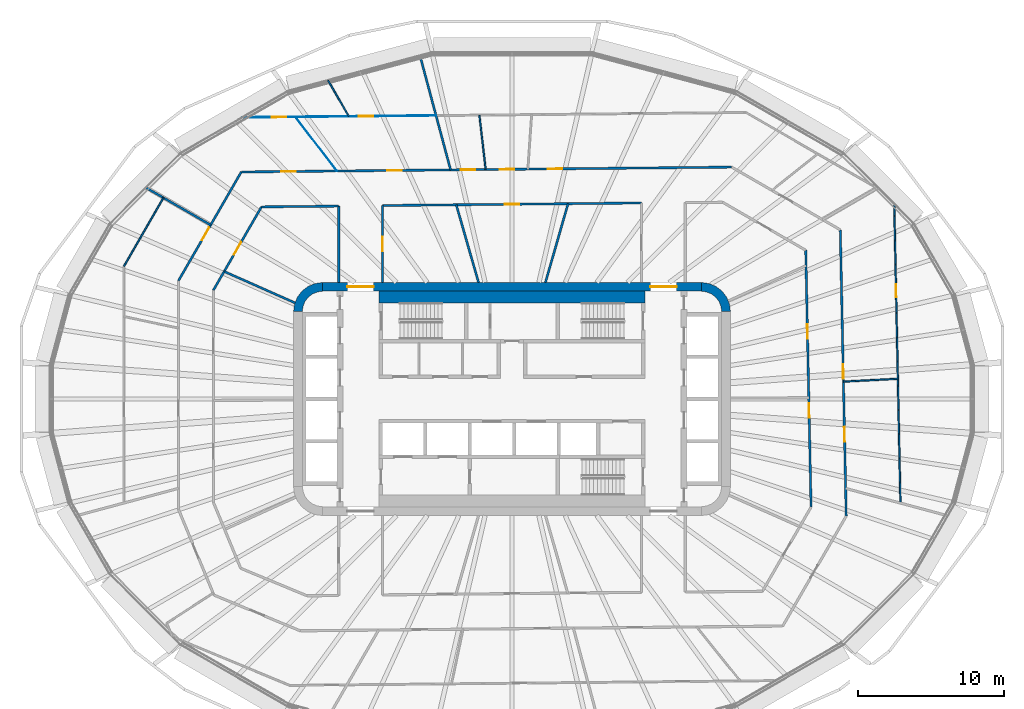
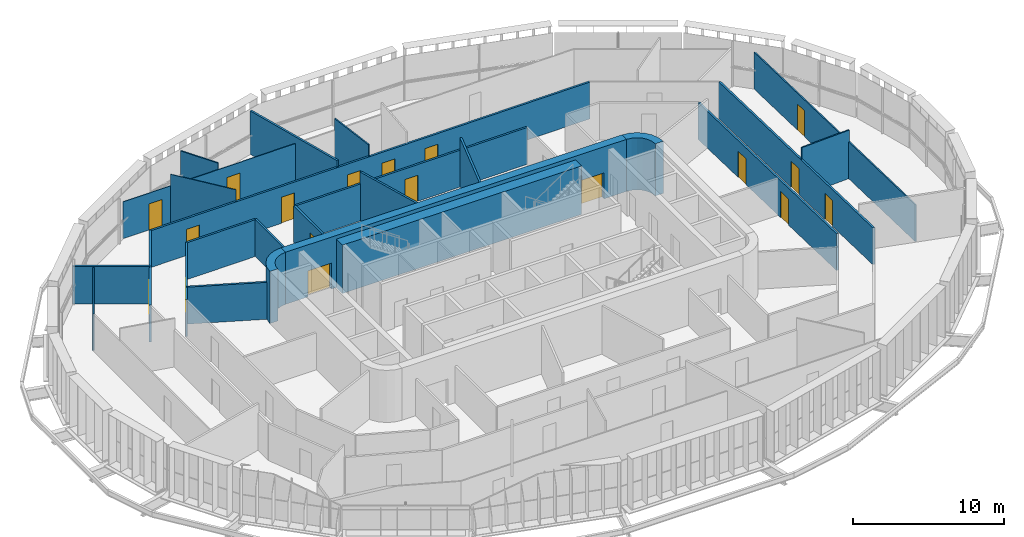
# One storey, part 17 of 26: 25 walls, 18 doors, 18 openings.
"""IFC4 building model written with IfcOpenShell, lengths in metres."""

from ifc_helpers import new_model, si_unit, direction, frame, frame_2d, origin, place, context, subcontext, project, spatial, polyline, rectangle, outline, extrude, material, layer, layer_set, type_object, element, fill, save


model = new_model("IFC4")

# Units and contexts
model_context = context("Model", 3, precision=1e-05, world=origin(), true_north=direction((0.0, 1.0)))
body_context = subcontext(model_context, "Body", "Model", "MODEL_VIEW")
ifc_project = project(units=[si_unit("LENGTHUNIT", "METRE"), si_unit("AREAUNIT", "SQUARE_METRE"), si_unit("VOLUMEUNIT", "CUBIC_METRE"), si_unit("PLANEANGLEUNIT", "RADIAN"), si_unit("MASSUNIT", "GRAM", prefix="KILO")], contexts=[model_context])

# Site, building, storey
site_placement = place(None, origin())
site = spatial("IfcSite", under=ifc_project, at=site_placement, CompositionType="ELEMENT")
building_placement = place(site_placement, origin())
building = spatial("IfcBuilding", under=site, at=building_placement, Name="Sahrelin Media Tower", CompositionType="ELEMENT")
storey_placement = place(building_placement, frame((0.0, 0.0, 92.39990234375)))
storey = spatial("IfcBuildingStorey", under=building, at=storey_placement, Name="L17", CompositionType="ELEMENT", Elevation=92.39990234375)

# Wall, openings, doors
ifc_material_1 = material(Name="Concrete C60/75", Category="concrete")
ifc_layer_1 = layer(ifc_material_1, 0.60009765625)
ifc_layer_set_1 = layer_set([ifc_layer_1], Name="Core wall 600")
wall_type_1 = type_object("IfcWallType", Name="Core wall 600", PredefinedType="SHEAR", material=ifc_layer_set_1)
wall_1_placement = place(storey_placement, frame((-13.0, 7.699951171875, 0.0), z_axis=(0.0, 0.0, 1.0), x_axis=(1.0, 0.0, 0.0)))
wall_1 = element("IfcWall", 1, at=wall_1_placement, inside=storey, type_object=wall_type_1, Name="Core wall N L17", PredefinedType="SHEAR", context=body_context, shape_type="SweptSolid", body=[
    extrude(rectangle(XDim=26.0, YDim=0.60009765625, at=frame_2d((13.0, 0.0))), origin(), (0.0, 0.0, 1.0), 4.2001953125),
])
opening_1_placement = place(wall_1_placement, frame((1.699951171875, 0.0, 0.0)))
opening_1 = element("IfcOpeningElement", 2, at=opening_1_placement, cuts=wall_1, Name="Opening L17-D17", PredefinedType="OPENING", context=body_context, shape_type="SweptSolid", body=[
    extrude(rectangle(XDim=1.800048828125, YDim=2.10009765625, at=frame_2d((0.89990234375, 1.050048828125))), frame((0.0, 0.300048828125, 0.0), z_axis=(0.0, -1.0, 0.0), x_axis=(1.0, 0.0, 0.0)), (0.0, 0.0, 1.0), 0.60009765625),
])
opening_2_placement = place(wall_1_placement, frame((22.5, 0.0, 0.0)))
opening_2 = element("IfcOpeningElement", 3, at=opening_2_placement, cuts=wall_1, Name="Opening L17-D18", PredefinedType="OPENING", context=body_context, shape_type="SweptSolid", body=[
    extrude(rectangle(XDim=1.800048828125, YDim=2.10009765625, at=frame_2d((0.89990234375, 1.050048828125))), frame((0.0, 0.300048828125, 0.0), z_axis=(0.0, -1.0, 0.0), x_axis=(1.0, 0.0, 0.0)), (0.0, 0.0, 1.0), 0.60009765625),
])
ifc_material_2 = material(Name="Steel fire door leaf", Category="steel")
door_type_1 = type_object("IfcDoorType", Name="Lobby double door 1800 x 2100 EI 60", OperationType="DOUBLE_DOOR_SINGLE_SWING", PredefinedType="DOOR", material=ifc_material_2)
door_1_placement = place(opening_1_placement, origin())
door_1 = element("IfcDoor", 4, at=door_1_placement, inside=storey, type_object=door_type_1, Name="Lobby door", OperationType="DOUBLE_DOOR_SINGLE_SWING", OverallHeight=2.10009765625, OverallWidth=1.800048828125, PredefinedType="DOOR", context=body_context, shape_type="SweptSolid", body=[
    extrude(rectangle(XDim=1.800048828125, YDim=2.10009765625, at=frame_2d((0.89990234375, 1.050048828125))), frame((0.0, 0.02490234375, 0.0), z_axis=(0.0, -1.0, 0.0), x_axis=(1.0, 0.0, 0.0)), (0.0, 0.0, 1.0), 0.050048828125),
])
fill(opening_1, door_1)
door_2_placement = place(opening_2_placement, origin())
door_2 = element("IfcDoor", 5, at=door_2_placement, inside=storey, type_object=door_type_1, Name="Lobby door", OperationType="DOUBLE_DOOR_SINGLE_SWING", OverallHeight=2.10009765625, OverallWidth=1.800048828125, PredefinedType="DOOR", context=body_context, shape_type="SweptSolid", body=[
    extrude(rectangle(XDim=1.800048828125, YDim=2.10009765625, at=frame_2d((0.89990234375, 1.050048828125))), frame((0.0, 0.02490234375, 0.0), z_axis=(0.0, -1.0, 0.0), x_axis=(1.0, 0.0, 0.0)), (0.0, 0.0, 1.0), 0.050048828125),
])
fill(opening_2, door_2)

# Walls
placement = place(storey_placement, origin())
element("IfcWall", 6, at=placement, inside=storey, type_object=wall_type_1, Name="Core wall corner NE L17", PredefinedType="SHEAR", context=body_context, shape_type="SweptSolid", body=[
    extrude(outline(polyline([(13.0, 8.0), (13.0, 7.394775390625), (13.361083984375, 7.347412109375), (13.697509765625, 7.2080078125), (13.986328125, 6.986328125), (14.2080078125, 6.697509765625), (14.347412109375, 6.361083984375), (14.394775390625, 6.0), (15.0, 6.0), (14.931884765625, 6.517578125), (14.732177734375, 7.0), (14.414306640625, 7.414306640625), (14.0, 7.732177734375), (13.517578125, 7.931884765625), (13.0, 8.0)])), origin(), (0.0, 0.0, 1.0), 4.2001953125),
])
element("IfcWall", 7, at=placement, inside=storey, type_object=wall_type_1, Name="Core wall corner NW L17", PredefinedType="SHEAR", context=body_context, shape_type="SweptSolid", body=[
    extrude(outline(polyline([(-15.0, 6.0), (-14.394775390625, 6.0), (-14.347412109375, 6.361083984375), (-14.2080078125, 6.697509765625), (-13.986328125, 6.986328125), (-13.697509765625, 7.2080078125), (-13.361083984375, 7.347412109375), (-13.0, 7.394775390625), (-13.0, 8.0), (-13.517578125, 7.931884765625), (-14.0, 7.732177734375), (-14.414306640625, 7.414306640625), (-14.732177734375, 7.0), (-14.931884765625, 6.517578125), (-15.0, 6.0)])), origin(), (0.0, 0.0, 1.0), 4.2001953125),
])

# Wall, openings, doors
ifc_material_3 = material(Name="Fire-rated gypsum board partition")
ifc_layer_2 = layer(ifc_material_3, 0.14990234375)
ifc_layer_set_2 = layer_set([ifc_layer_2], Name="Fire-rated partition 150")
wall_type_2 = type_object("IfcWallType", Name="Fire-rated partition 150", PredefinedType="PARTITIONING", material=ifc_layer_set_2)
wall_4_placement = place(storey_placement, frame((20.1669921875, 10.212890625, 0.0), z_axis=(0.0, 0.0, 1.0), x_axis=(0.020610894613, -0.999787572949, 0.0)))
wall_4 = element("IfcWall", 8, at=wall_4_placement, inside=storey, type_object=wall_type_2, Name="Wall", PredefinedType="PARTITIONING", context=body_context, shape_type="SweptSolid", body=[
    extrude(rectangle(XDim=17.637451171875, YDim=0.14990234375, at=frame_2d((8.81884765625, 0.0))), origin(), (0.0, 0.0, 1.0), 2.96826171875),
])
opening_3_placement = place(wall_4_placement, frame((10.5078125, 0.0, 0.0)))
opening_3 = element("IfcOpeningElement", 9, at=opening_3_placement, cuts=wall_4, Name="Opening L17-D25", PredefinedType="OPENING", context=body_context, shape_type="SweptSolid", body=[
    extrude(rectangle(XDim=1.0, YDim=2.10009765625, at=frame_2d((0.5, 1.050048828125))), frame((0.0, 0.074951171875, 0.0), z_axis=(0.0, -1.0, 0.0), x_axis=(1.0, 0.0, 0.0)), (0.0, 0.0, 1.0), 0.14990234375),
])
opening_4_placement = place(wall_4_placement, frame((5.089599609375, 0.0, 0.0)))
opening_4 = element("IfcOpeningElement", 10, at=opening_4_placement, cuts=wall_4, Name="Opening L17-D26", PredefinedType="OPENING", context=body_context, shape_type="SweptSolid", body=[
    extrude(rectangle(XDim=1.0, YDim=2.10009765625, at=frame_2d((0.5, 1.050048828125))), frame((0.0, 0.074951171875, 0.0), z_axis=(0.0, -1.0, 0.0), x_axis=(1.0, 0.0, 0.0)), (0.0, 0.0, 1.0), 0.14990234375),
])
door_type_2 = type_object("IfcDoorType", Name="Fire door 1000 x 2100 EI 60", OperationType="NOTDEFINED", PredefinedType="DOOR", material=ifc_material_2)
door_3_placement = place(opening_3_placement, origin())
door_3 = element("IfcDoor", 11, at=door_3_placement, inside=storey, type_object=door_type_2, Name="Fire door", OperationType="SINGLE_SWING_LEFT", OverallHeight=2.10009765625, OverallWidth=1.0, PredefinedType="DOOR", context=body_context, shape_type="SweptSolid", body=[
    extrude(rectangle(XDim=1.0, YDim=2.10009765625, at=frame_2d((0.5, 1.050048828125))), frame((0.0, 0.02490234375, 0.0), z_axis=(0.0, -1.0, 0.0), x_axis=(1.0, 0.0, 0.0)), (0.0, 0.0, 1.0), 0.050048828125),
])
fill(opening_3, door_3)
door_4_placement = place(opening_4_placement, origin())
door_4 = element("IfcDoor", 12, at=door_4_placement, inside=storey, type_object=door_type_2, Name="Fire door", OperationType="SINGLE_SWING_RIGHT", OverallHeight=2.10009765625, OverallWidth=1.0, PredefinedType="DOOR", context=body_context, shape_type="SweptSolid", body=[
    extrude(rectangle(XDim=1.0, YDim=2.10009765625, at=frame_2d((0.5, 1.050048828125))), frame((0.0, 0.02490234375, 0.0), z_axis=(0.0, -1.0, 0.0), x_axis=(1.0, 0.0, 0.0)), (0.0, 0.0, 1.0), 0.050048828125),
])
fill(opening_4, door_4)

wall_5_placement = place(storey_placement, frame((22.5390625, 11.614990234375, 0.0), z_axis=(0.0, 0.0, 1.0), x_axis=(0.020601506683, -0.99978776644, 0.0)))
wall_5 = element("IfcWall", 13, at=wall_5_placement, inside=storey, type_object=wall_type_2, Name="Wall", PredefinedType="PARTITIONING", context=body_context, shape_type="SweptSolid", body=[
    extrude(rectangle(XDim=19.66015625, YDim=0.14990234375, at=frame_2d((9.830078125, 0.0))), origin(), (0.0, 0.0, 1.0), 2.96826171875),
])
opening_5_placement = place(wall_5_placement, frame((13.53955078125, 0.0, 0.0)))
opening_5 = element("IfcOpeningElement", 14, at=opening_5_placement, cuts=wall_5, Name="Opening L17-D38", PredefinedType="OPENING", context=body_context, shape_type="SweptSolid", body=[
    extrude(rectangle(XDim=1.0, YDim=2.10009765625, at=frame_2d((0.5, 1.050048828125))), frame((0.0, 0.074951171875, 0.0), z_axis=(0.0, -1.0, 0.0), x_axis=(1.0, 0.0, 0.0)), (0.0, 0.0, 1.0), 0.14990234375),
])
opening_6_placement = place(wall_5_placement, frame((9.22998046875, 0.0, 0.0)))
opening_6 = element("IfcOpeningElement", 15, at=opening_6_placement, cuts=wall_5, Name="Opening L17-D39", PredefinedType="OPENING", context=body_context, shape_type="SweptSolid", body=[
    extrude(rectangle(XDim=1.0, YDim=2.10009765625, at=frame_2d((0.5, 1.050048828125))), frame((0.0, 0.074951171875, 0.0), z_axis=(0.0, -1.0, 0.0), x_axis=(1.0, 0.0, 0.0)), (0.0, 0.0, 1.0), 0.14990234375),
])
door_5_placement = place(opening_5_placement, origin())
door_5 = element("IfcDoor", 16, at=door_5_placement, inside=storey, type_object=door_type_2, Name="Fire door", OperationType="SINGLE_SWING_LEFT", OverallHeight=2.10009765625, OverallWidth=1.0, PredefinedType="DOOR", context=body_context, shape_type="SweptSolid", body=[
    extrude(rectangle(XDim=1.0, YDim=2.10009765625, at=frame_2d((0.5, 1.050048828125))), frame((0.0, 0.02490234375, 0.0), z_axis=(0.0, -1.0, 0.0), x_axis=(1.0, 0.0, 0.0)), (0.0, 0.0, 1.0), 0.050048828125),
])
fill(opening_5, door_5)
door_6_placement = place(opening_6_placement, origin())
door_6 = element("IfcDoor", 17, at=door_6_placement, inside=storey, type_object=door_type_2, Name="Fire door", OperationType="SINGLE_SWING_LEFT", OverallHeight=2.10009765625, OverallWidth=1.0, PredefinedType="DOOR", context=body_context, shape_type="SweptSolid", body=[
    extrude(rectangle(XDim=1.0, YDim=2.10009765625, at=frame_2d((0.5, 1.050048828125))), frame((0.0, 0.02490234375, 0.0), z_axis=(0.0, -1.0, 0.0), x_axis=(1.0, 0.0, 0.0)), (0.0, 0.0, 1.0), 0.050048828125),
])
fill(opening_6, door_6)

# Walls
wall_6_placement = place(storey_placement, frame((-6.31494140625, 23.56591796875, 0.0), z_axis=(0.0, 0.0, 1.0), x_axis=(0.258844392232, -0.96591903419, 0.0)))
element("IfcWall", 18, at=wall_6_placement, inside=storey, type_object=wall_type_2, Name="Wall", PredefinedType="PARTITIONING", context=body_context, shape_type="SweptSolid", body=[
    extrude(rectangle(XDim=8.1123046875, YDim=0.14990234375, at=frame_2d((4.05615234375, 0.0))), origin(), (0.0, 0.0, 1.0), 3.501708984375),
])
wall_7_placement = place(storey_placement, frame((-3.826904296875, 13.3330078125, 0.0), z_axis=(0.0, 0.0, 1.0), x_axis=(0.275935525478, -0.961176147113, 0.0)))
element("IfcWall", 19, at=wall_7_placement, inside=storey, type_object=wall_type_2, Name="Wall", PredefinedType="PARTITIONING", context=body_context, shape_type="SweptSolid", body=[
    extrude(rectangle(XDim=5.54833984375, YDim=0.14990234375, at=frame_2d((2.774169921875, 0.0))), origin(), (0.0, 0.0, 1.0), 3.900146484375),
])
wall_8_placement = place(storey_placement, frame((-25.131103515625, 14.509033203125, 0.0), z_axis=(0.0, 0.0, 1.0), x_axis=(0.866037334331, -0.499979335118, 0.0)))
element("IfcWall", 20, at=wall_8_placement, inside=storey, type_object=wall_type_2, Name="Wall", PredefinedType="PARTITIONING", context=body_context, shape_type="SweptSolid", body=[
    extrude(rectangle(XDim=5.128173828125, YDim=0.14990234375, at=frame_2d((2.56396484375, 0.0))), origin(), (0.0, 0.0, 1.0), 3.045166015625),
])
wall_9_placement = place(storey_placement, frame((-19.760009765625, 8.7548828125, 0.0), z_axis=(0.0, 0.0, 1.0), x_axis=(0.91424834547, -0.405154245695, 0.0)))
element("IfcWall", 21, at=wall_9_placement, inside=storey, type_object=wall_type_2, Name="Wall", PredefinedType="PARTITIONING", context=body_context, shape_type="SweptSolid", body=[
    extrude(rectangle(XDim=5.31787109375, YDim=0.14990234375, at=frame_2d((2.658935546875, 0.0))), origin(), (0.0, 0.0, 1.0), 2.97705078125),
])
wall_10_placement = place(storey_placement, frame((-17.194091796875, 13.19091796875, 0.0), z_axis=(0.0, 0.0, 1.0), x_axis=(0.999950853109, 0.009914200296, 0.0)))
element("IfcWall", 22, at=wall_10_placement, inside=storey, type_object=wall_type_2, Name="Wall", PredefinedType="PARTITIONING", context=body_context, shape_type="SweptSolid", body=[
    extrude(rectangle(XDim=5.29443359375, YDim=0.14990234375, at=frame_2d((2.647216796875, 0.0))), origin(), (0.0, 0.0, 1.0), 2.96826171875),
])

# Wall, opening, door
wall_11_placement = place(storey_placement, frame((-8.89990234375, 13.282470703125, 0.0), z_axis=(0.0, 0.0, 1.0), x_axis=(0.999950834077, 0.009916119672, 0.0)))
wall_11 = element("IfcWall", 23, at=wall_11_placement, inside=storey, type_object=wall_type_2, Name="Wall", PredefinedType="PARTITIONING", context=body_context, shape_type="SweptSolid", body=[
    extrude(rectangle(XDim=17.80078125, YDim=0.14990234375, at=frame_2d((8.900390625, 0.0))), origin(), (0.0, 0.0, 1.0), 2.96826171875),
])
opening_7_placement = place(wall_11_placement, frame((8.412109375, 0.0, 0.0)))
opening_7 = element("IfcOpeningElement", 24, at=opening_7_placement, cuts=wall_11, Name="Opening L17-D29", PredefinedType="OPENING", context=body_context, shape_type="SweptSolid", body=[
    extrude(rectangle(XDim=1.0, YDim=2.10009765625, at=frame_2d((0.5, 1.050048828125))), frame((0.0, 0.074951171875, 0.0), z_axis=(0.0, -1.0, 0.0), x_axis=(1.0, 0.0, 0.0)), (0.0, 0.0, 1.0), 0.14990234375),
])
door_7_placement = place(opening_7_placement, origin())
door_7 = element("IfcDoor", 25, at=door_7_placement, inside=storey, type_object=door_type_2, Name="Fire door", OperationType="SINGLE_SWING_LEFT", OverallHeight=2.10009765625, OverallWidth=1.0, PredefinedType="DOOR", context=body_context, shape_type="SweptSolid", body=[
    extrude(rectangle(XDim=1.0, YDim=2.10009765625, at=frame_2d((0.5, 1.050048828125))), frame((0.0, 0.02490234375, 0.0), z_axis=(0.0, -1.0, 0.0), x_axis=(1.0, 0.0, 0.0)), (0.0, 0.0, 1.0), 0.050048828125),
])
fill(opening_7, door_7)

# Wall, openings, doors
wall_12_placement = place(storey_placement, frame((-18.5869140625, 15.5869140625, 0.0), z_axis=(0.0, 0.0, 1.0), x_axis=(0.99995087003, 0.009912493396, 0.0)))
wall_12 = element("IfcWall", 26, at=wall_12_placement, inside=storey, type_object=wall_type_2, Name="Wall", PredefinedType="PARTITIONING", context=body_context, shape_type="SweptSolid", body=[
    extrude(rectangle(XDim=33.668701171875, YDim=0.14990234375, at=frame_2d((16.83447265625, 0.0))), origin(), (0.0, 0.0, 1.0), 2.96826171875),
])
opening_8_placement = place(wall_12_placement, frame((21.034423828125, 0.0, 0.0)))
opening_8 = element("IfcOpeningElement", 27, at=opening_8_placement, cuts=wall_12, Name="Opening L17-D42", PredefinedType="OPENING", context=body_context, shape_type="SweptSolid", body=[
    extrude(rectangle(XDim=1.0, YDim=2.10009765625, at=frame_2d((0.5, 1.050048828125))), frame((0.0, 0.074951171875, 0.0), z_axis=(0.0, -1.0, 0.0), x_axis=(1.0, 0.0, 0.0)), (0.0, 0.0, 1.0), 0.14990234375),
])
opening_9_placement = place(wall_12_placement, frame((17.72998046875, 0.0, 0.0)))
opening_9 = element("IfcOpeningElement", 28, at=opening_9_placement, cuts=wall_12, Name="Opening L17-D43", PredefinedType="OPENING", context=body_context, shape_type="SweptSolid", body=[
    extrude(rectangle(XDim=1.0, YDim=2.10009765625, at=frame_2d((0.5, 1.050048828125))), frame((0.0, 0.074951171875, 0.0), z_axis=(0.0, -1.0, 0.0), x_axis=(1.0, 0.0, 0.0)), (0.0, 0.0, 1.0), 0.14990234375),
])
opening_10_placement = place(wall_12_placement, frame((15.0771484375, 0.0, 0.0)))
opening_10 = element("IfcOpeningElement", 29, at=opening_10_placement, cuts=wall_12, Name="Opening L17-D44", PredefinedType="OPENING", context=body_context, shape_type="SweptSolid", body=[
    extrude(rectangle(XDim=1.0, YDim=2.10009765625, at=frame_2d((0.5, 1.050048828125))), frame((0.0, 0.074951171875, 0.0), z_axis=(0.0, -1.0, 0.0), x_axis=(1.0, 0.0, 0.0)), (0.0, 0.0, 1.0), 0.14990234375),
])
opening_11_placement = place(wall_12_placement, frame((10.026123046875, 0.0, 0.0)))
opening_11 = element("IfcOpeningElement", 30, at=opening_11_placement, cuts=wall_12, Name="Opening L17-D46", PredefinedType="OPENING", context=body_context, shape_type="SweptSolid", body=[
    extrude(rectangle(XDim=1.0, YDim=2.10009765625, at=frame_2d((0.5, 1.050048828125))), frame((0.0, 0.074951171875, 0.0), z_axis=(0.0, -1.0, 0.0), x_axis=(1.0, 0.0, 0.0)), (0.0, 0.0, 1.0), 0.14990234375),
])
opening_12_placement = place(wall_12_placement, frame((2.73681640625, 0.0, 0.0)))
opening_12 = element("IfcOpeningElement", 31, at=opening_12_placement, cuts=wall_12, Name="Opening L17-D47", PredefinedType="OPENING", context=body_context, shape_type="SweptSolid", body=[
    extrude(rectangle(XDim=1.0, YDim=2.10009765625, at=frame_2d((0.5, 1.050048828125))), frame((0.0, 0.074951171875, 0.0), z_axis=(0.0, -1.0, 0.0), x_axis=(1.0, 0.0, 0.0)), (0.0, 0.0, 1.0), 0.14990234375),
])
door_8_placement = place(opening_8_placement, origin())
door_8 = element("IfcDoor", 32, at=door_8_placement, inside=storey, type_object=door_type_2, Name="Fire door", OperationType="SINGLE_SWING_RIGHT", OverallHeight=2.10009765625, OverallWidth=1.0, PredefinedType="DOOR", context=body_context, shape_type="SweptSolid", body=[
    extrude(rectangle(XDim=1.0, YDim=2.10009765625, at=frame_2d((0.5, 1.050048828125))), frame((0.0, 0.02490234375, 0.0), z_axis=(0.0, -1.0, 0.0), x_axis=(1.0, 0.0, 0.0)), (0.0, 0.0, 1.0), 0.050048828125),
])
fill(opening_8, door_8)
door_9_placement = place(opening_9_placement, origin())
door_9 = element("IfcDoor", 33, at=door_9_placement, inside=storey, type_object=door_type_2, Name="Fire door", OperationType="SINGLE_SWING_RIGHT", OverallHeight=2.10009765625, OverallWidth=1.0, PredefinedType="DOOR", context=body_context, shape_type="SweptSolid", body=[
    extrude(rectangle(XDim=1.0, YDim=2.10009765625, at=frame_2d((0.5, 1.050048828125))), frame((0.0, 0.02490234375, 0.0), z_axis=(0.0, -1.0, 0.0), x_axis=(1.0, 0.0, 0.0)), (0.0, 0.0, 1.0), 0.050048828125),
])
fill(opening_9, door_9)
door_10_placement = place(opening_10_placement, origin())
door_10 = element("IfcDoor", 34, at=door_10_placement, inside=storey, type_object=door_type_2, Name="Fire door", OperationType="SINGLE_SWING_LEFT", OverallHeight=2.10009765625, OverallWidth=1.0, PredefinedType="DOOR", context=body_context, shape_type="SweptSolid", body=[
    extrude(rectangle(XDim=1.0, YDim=2.10009765625, at=frame_2d((0.5, 1.050048828125))), frame((0.0, 0.02490234375, 0.0), z_axis=(0.0, -1.0, 0.0), x_axis=(1.0, 0.0, 0.0)), (0.0, 0.0, 1.0), 0.050048828125),
])
fill(opening_10, door_10)
door_11_placement = place(opening_11_placement, origin())
door_11 = element("IfcDoor", 35, at=door_11_placement, inside=storey, type_object=door_type_2, Name="Fire door", OperationType="SINGLE_SWING_LEFT", OverallHeight=2.10009765625, OverallWidth=1.0, PredefinedType="DOOR", context=body_context, shape_type="SweptSolid", body=[
    extrude(rectangle(XDim=1.0, YDim=2.10009765625, at=frame_2d((0.5, 1.050048828125))), frame((0.0, 0.02490234375, 0.0), z_axis=(0.0, -1.0, 0.0), x_axis=(1.0, 0.0, 0.0)), (0.0, 0.0, 1.0), 0.050048828125),
])
fill(opening_11, door_11)
door_12_placement = place(opening_12_placement, origin())
door_12 = element("IfcDoor", 36, at=door_12_placement, inside=storey, type_object=door_type_2, Name="Fire door", OperationType="SINGLE_SWING_RIGHT", OverallHeight=2.10009765625, OverallWidth=1.0, PredefinedType="DOOR", context=body_context, shape_type="SweptSolid", body=[
    extrude(rectangle(XDim=1.0, YDim=2.10009765625, at=frame_2d((0.5, 1.050048828125))), frame((0.0, 0.02490234375, 0.0), z_axis=(0.0, -1.0, 0.0), x_axis=(1.0, 0.0, 0.0)), (0.0, 0.0, 1.0), 0.050048828125),
])
fill(opening_12, door_12)

# Wall, opening, door
wall_13_placement = place(storey_placement, frame((-20.5, 7.47412109375, 0.0), z_axis=(0.0, 0.0, 1.0), x_axis=(0.500012665616, 0.866018091164, 0.0)))
wall_13 = element("IfcWall", 37, at=wall_13_placement, inside=storey, type_object=wall_type_2, Name="Wall", PredefinedType="PARTITIONING", context=body_context, shape_type="SweptSolid", body=[
    extrude(rectangle(XDim=6.602294921875, YDim=0.14990234375, at=frame_2d((3.30126953125, 0.0))), origin(), (0.0, 0.0, 1.0), 2.96826171875),
])
opening_13_placement = place(wall_13_placement, frame((2.802978515625, 0.0, 0.0)))
opening_13 = element("IfcOpeningElement", 38, at=opening_13_placement, cuts=wall_13, Name="Opening L17-D31", PredefinedType="OPENING", context=body_context, shape_type="SweptSolid", body=[
    extrude(rectangle(XDim=1.0, YDim=2.10009765625, at=frame_2d((0.5, 1.050048828125))), frame((0.0, 0.074951171875, 0.0), z_axis=(0.0, -1.0, 0.0), x_axis=(1.0, 0.0, 0.0)), (0.0, 0.0, 1.0), 0.14990234375),
])
door_13_placement = place(opening_13_placement, origin())
door_13 = element("IfcDoor", 39, at=door_13_placement, inside=storey, type_object=door_type_2, Name="Fire door", OperationType="SINGLE_SWING_RIGHT", OverallHeight=2.10009765625, OverallWidth=1.0, PredefinedType="DOOR", context=body_context, shape_type="SweptSolid", body=[
    extrude(rectangle(XDim=1.0, YDim=2.10009765625, at=frame_2d((0.5, 1.050048828125))), frame((0.0, 0.02490234375, 0.0), z_axis=(0.0, -1.0, 0.0), x_axis=(1.0, 0.0, 0.0)), (0.0, 0.0, 1.0), 0.050048828125),
])
fill(opening_13, door_13)

wall_14_placement = place(storey_placement, frame((-22.900146484375, 8.116943359375, 0.0), z_axis=(0.0, 0.0, 1.0), x_axis=(0.5000050195, 0.866022505755, 0.0)))
wall_14 = element("IfcWall", 40, at=wall_14_placement, inside=storey, type_object=wall_type_2, Name="Wall", PredefinedType="PARTITIONING", context=body_context, shape_type="SweptSolid", body=[
    extrude(rectangle(XDim=8.6259765625, YDim=0.14990234375, at=frame_2d((4.31298828125, 0.0))), origin(), (0.0, 0.0, 1.0), 2.96826171875),
])
opening_14_placement = place(wall_14_placement, frame((3.210693359375, 0.0, 0.0)))
opening_14 = element("IfcOpeningElement", 41, at=opening_14_placement, cuts=wall_14, Name="Opening L17-D50", PredefinedType="OPENING", context=body_context, shape_type="SweptSolid", body=[
    extrude(rectangle(XDim=1.0, YDim=2.10009765625, at=frame_2d((0.5, 1.050048828125))), frame((0.0, 0.074951171875, 0.0), z_axis=(0.0, -1.0, 0.0), x_axis=(1.0, 0.0, 0.0)), (0.0, 0.0, 1.0), 0.14990234375),
])
door_14_placement = place(opening_14_placement, origin())
door_14 = element("IfcDoor", 42, at=door_14_placement, inside=storey, type_object=door_type_2, Name="Fire door", OperationType="SINGLE_SWING_RIGHT", OverallHeight=2.10009765625, OverallWidth=1.0, PredefinedType="DOOR", context=body_context, shape_type="SweptSolid", body=[
    extrude(rectangle(XDim=1.0, YDim=2.10009765625, at=frame_2d((0.5, 1.050048828125))), frame((0.0, 0.02490234375, 0.0), z_axis=(0.0, -1.0, 0.0), x_axis=(1.0, 0.0, 0.0)), (0.0, 0.0, 1.0), 0.050048828125),
])
fill(opening_14, door_14)

# Wall
wall_15_placement = place(storey_placement, frame((2.2958984375, 8.0, 0.0), z_axis=(0.0, 0.0, 1.0), x_axis=(0.275958345059, 0.961169595749, 0.0)))
element("IfcWall", 43, at=wall_15_placement, inside=storey, type_object=wall_type_2, Name="Wall", PredefinedType="PARTITIONING", context=body_context, shape_type="SweptSolid", body=[
    extrude(rectangle(XDim=5.62841796875, YDim=0.14990234375, at=frame_2d((2.814208984375, 0.0))), origin(), (0.0, 0.0, 1.0), 3.900146484375),
])

# Wall, opening, door
wall_16_placement = place(storey_placement, frame((-8.89990234375, 8.0, 0.0), z_axis=(0.0, 0.0, 1.0), x_axis=(0.0, 1.0, 0.0)))
wall_16 = element("IfcWall", 44, at=wall_16_placement, inside=storey, type_object=wall_type_2, Name="Wall", PredefinedType="PARTITIONING", context=body_context, shape_type="SweptSolid", body=[
    extrude(rectangle(XDim=5.282958984375, YDim=0.14990234375, at=frame_2d((2.6416015625, 0.0))), origin(), (0.0, 0.0, 1.0), 2.96826171875),
])
opening_15_placement = place(wall_16_placement, frame((2.1416015625, 0.0, 0.0)))
opening_15 = element("IfcOpeningElement", 45, at=opening_15_placement, cuts=wall_16, Name="Opening L17-D30", PredefinedType="OPENING", context=body_context, shape_type="SweptSolid", body=[
    extrude(rectangle(XDim=1.0, YDim=2.10009765625, at=frame_2d((0.5, 1.050048828125))), frame((0.0, 0.074951171875, 0.0), z_axis=(0.0, -1.0, 0.0), x_axis=(1.0, 0.0, 0.0)), (0.0, 0.0, 1.0), 0.14990234375),
])
door_15_placement = place(opening_15_placement, origin())
door_15 = element("IfcDoor", 46, at=door_15_placement, inside=storey, type_object=door_type_2, Name="Fire door", OperationType="SINGLE_SWING_RIGHT", OverallHeight=2.10009765625, OverallWidth=1.0, PredefinedType="DOOR", context=body_context, shape_type="SweptSolid", body=[
    extrude(rectangle(XDim=1.0, YDim=2.10009765625, at=frame_2d((0.5, 1.050048828125))), frame((0.0, 0.02490234375, 0.0), z_axis=(0.0, -1.0, 0.0), x_axis=(1.0, 0.0, 0.0)), (0.0, 0.0, 1.0), 0.050048828125),
])
fill(opening_15, door_15)

# Walls
wall_17_placement = place(storey_placement, frame((-11.89990234375, 8.0, 0.0), z_axis=(0.0, 0.0, 1.0), x_axis=(0.0, 1.0, 0.0)))
element("IfcWall", 47, at=wall_17_placement, inside=storey, type_object=wall_type_2, Name="Wall", PredefinedType="PARTITIONING", context=body_context, shape_type="SweptSolid", body=[
    extrude(rectangle(XDim=5.242919921875, YDim=0.14990234375, at=frame_2d((2.62158203125, 0.0))), origin(), (0.0, 0.0, 1.0), 2.96826171875),
])
ifc_material_4 = material(Name="Clear glass", Category="glass")
ifc_layer_3 = layer(ifc_material_4, 0.050048828125)
ifc_layer_set_3 = layer_set([ifc_layer_3], Name="Glazed partition 50")
wall_type_3 = type_object("IfcWallType", Name="Glazed partition 50", PredefinedType="PARTITIONING", material=ifc_layer_set_3)
wall_18_placement = place(storey_placement, frame((-14.85888671875, 19.364013671875, 0.0), z_axis=(0.0, 0.0, 1.0), x_axis=(0.608714147517, -0.793389618418, 0.0)))
element("IfcWall", 48, at=wall_18_placement, inside=storey, type_object=wall_type_3, Name="Wall", PredefinedType="PARTITIONING", context=body_context, shape_type="SweptSolid", body=[
    extrude(rectangle(XDim=4.678466796875, YDim=0.050048828125, at=frame_2d((2.33935546875, 0.0))), origin(), (0.0, 0.0, 1.0), 3.900146484375),
])

# Wall, openings, doors
wall_19_placement = place(storey_placement, frame((-18.511962890625, 19.327880859375, 0.0), z_axis=(0.0, 0.0, 1.0), x_axis=(0.999950851933, 0.009914318817, 0.0)))
wall_19 = element("IfcWall", 49, at=wall_19_placement, inside=storey, type_object=wall_type_3, Name="Wall", PredefinedType="PARTITIONING", context=body_context, shape_type="SweptSolid", body=[
    extrude(rectangle(XDim=13.297607421875, YDim=0.050048828125, at=frame_2d((6.64892578125, 0.0))), origin(), (0.0, 0.0, 1.0), 2.96826171875),
])
opening_16_placement = place(wall_19_placement, frame((7.975341796875, 0.0, 0.0)))
opening_16 = element("IfcOpeningElement", 50, at=opening_16_placement, cuts=wall_19, Name="Opening L17-D48", PredefinedType="OPENING", context=body_context, shape_type="SweptSolid", body=[
    extrude(rectangle(XDim=1.0, YDim=2.10009765625, at=frame_2d((0.5, 1.050048828125))), frame((0.0, 0.02490234375, 0.0), z_axis=(0.0, -1.0, 0.0), x_axis=(1.0, 0.0, 0.0)), (0.0, 0.0, 1.0), 0.050048828125),
])
opening_17_placement = place(wall_19_placement, frame((2.00341796875, 0.0, 0.0)))
opening_17 = element("IfcOpeningElement", 51, at=opening_17_placement, cuts=wall_19, Name="Opening L17-D49", PredefinedType="OPENING", context=body_context, shape_type="SweptSolid", body=[
    extrude(rectangle(XDim=1.0, YDim=2.10009765625, at=frame_2d((0.5, 1.050048828125))), frame((0.0, 0.02490234375, 0.0), z_axis=(0.0, -1.0, 0.0), x_axis=(1.0, 0.0, 0.0)), (0.0, 0.0, 1.0), 0.050048828125),
])
door_type_3 = type_object("IfcDoorType", Name="Glazed door 1000 x 2100", OperationType="NOTDEFINED", PredefinedType="DOOR", material=ifc_material_4)
door_16_placement = place(opening_16_placement, origin())
door_16 = element("IfcDoor", 52, at=door_16_placement, inside=storey, type_object=door_type_3, Name="Glazed door", OperationType="SINGLE_SWING_LEFT", OverallHeight=2.10009765625, OverallWidth=1.0, PredefinedType="DOOR", context=body_context, shape_type="SweptSolid", body=[
    extrude(rectangle(XDim=1.0, YDim=2.10009765625, at=frame_2d((0.5, 1.050048828125))), frame((0.0, 0.02490234375, 0.0), z_axis=(0.0, -1.0, 0.0), x_axis=(1.0, 0.0, 0.0)), (0.0, 0.0, 1.0), 0.049560546875),
])
fill(opening_16, door_16)
door_17_placement = place(opening_17_placement, origin())
door_17 = element("IfcDoor", 53, at=door_17_placement, inside=storey, type_object=door_type_3, Name="Glazed door", OperationType="SINGLE_SWING_LEFT", OverallHeight=2.10009765625, OverallWidth=1.0, PredefinedType="DOOR", context=body_context, shape_type="SweptSolid", body=[
    extrude(rectangle(XDim=1.0, YDim=2.10009765625, at=frame_2d((0.5, 1.050048828125))), frame((0.0, 0.02490234375, 0.0), z_axis=(0.0, -1.0, 0.0), x_axis=(1.0, 0.0, 0.0)), (0.0, 0.0, 1.0), 0.049560546875),
])
fill(opening_17, door_17)

# Wall, opening, door
ifc_material_5 = material(Name="Gypsum board partition")
ifc_layer_4 = layer(ifc_material_5, 0.10009765625)
ifc_layer_set_4 = layer_set([ifc_layer_4], Name="Partition 100")
wall_type_4 = type_object("IfcWallType", Name="Partition 100", PredefinedType="PARTITIONING", material=ifc_layer_set_4)
wall_20_placement = place(storey_placement, frame((26.242919921875, 13.39697265625, 0.0), z_axis=(0.0, 0.0, 1.0), x_axis=(0.020639766813, -0.999786977324, 0.0)))
wall_20 = element("IfcWall", 54, at=wall_20_placement, inside=storey, type_object=wall_type_4, Name="Wall", PredefinedType="PARTITIONING", context=body_context, shape_type="SweptSolid", body=[
    extrude(rectangle(XDim=20.54638671875, YDim=0.10009765625, at=frame_2d((10.273193359375, 0.0))), origin(), (0.0, 0.0, 1.0), 2.96826171875),
])
opening_18_placement = place(wall_20_placement, frame((5.506103515625, 0.0, 0.0)))
opening_18 = element("IfcOpeningElement", 55, at=opening_18_placement, cuts=wall_20, Name="Opening L17-D40", PredefinedType="OPENING", context=body_context, shape_type="SweptSolid", body=[
    extrude(rectangle(XDim=0.89990234375, YDim=2.10009765625, at=frame_2d((0.449951171875, 1.050048828125))), frame((0.0, 0.050048828125, 0.0), z_axis=(0.0, -1.0, 0.0), x_axis=(1.0, 0.0, 0.0)), (0.0, 0.0, 1.0), 0.10009765625),
])
ifc_material_6 = material(Name="Timber door leaf", Category="wood")
door_type_4 = type_object("IfcDoorType", Name="Single door 900 x 2100", OperationType="NOTDEFINED", PredefinedType="DOOR", material=ifc_material_6)
door_18_placement = place(opening_18_placement, origin())
door_18 = element("IfcDoor", 56, at=door_18_placement, inside=storey, type_object=door_type_4, Name="Single door", OperationType="SINGLE_SWING_RIGHT", OverallHeight=2.10009765625, OverallWidth=0.89990234375, PredefinedType="DOOR", context=body_context, shape_type="SweptSolid", body=[
    extrude(rectangle(XDim=0.89990234375, YDim=2.10009765625, at=frame_2d((0.449951171875, 1.050048828125))), frame((0.0, 0.02490234375, 0.0), z_axis=(0.0, -1.0, 0.0), x_axis=(1.0, 0.0, 0.0)), (0.0, 0.0, 1.0), 0.050048828125),
])
fill(opening_18, door_18)

# Walls
wall_21_placement = place(storey_placement, frame((-2.237060546875, 19.489990234375, 0.0), z_axis=(0.0, 0.0, 1.0), x_axis=(0.114064733863, -0.993473319465, 0.0)))
element("IfcWall", 57, at=wall_21_placement, inside=storey, type_object=wall_type_4, Name="Wall", PredefinedType="PARTITIONING", context=body_context, shape_type="SweptSolid", body=[
    extrude(rectangle(XDim=3.7607421875, YDim=0.10009765625, at=frame_2d((1.88037109375, 0.0))), origin(), (0.0, 0.0, 1.0), 3.900146484375),
])
wall_22_placement = place(storey_placement, frame((-12.62890625, 21.8740234375, 0.0), z_axis=(0.0, 0.0, 1.0), x_axis=(0.500028324968, -0.866009049739, 0.0)))
element("IfcWall", 58, at=wall_22_placement, inside=storey, type_object=wall_type_4, Name="Wall", PredefinedType="PARTITIONING", context=body_context, shape_type="SweptSolid", body=[
    extrude(rectangle(XDim=2.855712890625, YDim=0.10009765625, at=frame_2d((1.427734375, 0.0))), origin(), (0.0, 0.0, 1.0), 3.501708984375),
])
wall_23_placement = place(storey_placement, frame((22.75390625, 1.193115234375, 0.0), z_axis=(0.0, 0.0, 1.0), x_axis=(0.998643838338, 0.05206231025, 0.0)))
element("IfcWall", 59, at=wall_23_placement, inside=storey, type_object=wall_type_4, Name="Wall", PredefinedType="PARTITIONING", context=body_context, shape_type="SweptSolid", body=[
    extrude(rectangle(XDim=3.7421875, YDim=0.10009765625, at=frame_2d((1.87109375, 0.0))), origin(), (0.0, 0.0, 1.0), 3.900146484375),
])
wall_24_placement = place(storey_placement, frame((-26.639892578125, 9.118896484375, 0.0), z_axis=(0.0, 0.0, 1.0), x_axis=(0.499955005135, 0.866051380023, 0.0)))
element("IfcWall", 60, at=wall_24_placement, inside=storey, type_object=wall_type_4, Name="Wall", PredefinedType="PARTITIONING", context=body_context, shape_type="SweptSolid", body=[
    extrude(rectangle(XDim=5.42236328125, YDim=0.10009765625, at=frame_2d((2.711181640625, 0.0))), origin(), (0.0, 0.0, 1.0), 2.97705078125),
])
ifc_layer_5 = layer(ifc_material_1, 0.800048828125)
ifc_layer_set_5 = layer_set([ifc_layer_5], Name="Stair enclosure wall 800")
wall_type_5 = type_object("IfcWallType", Name="Stair enclosure wall 800", PredefinedType="SOLIDWALL", material=ifc_layer_set_5)
wall_25_placement = place(storey_placement, frame((-9.125, 7.0, 0.0), z_axis=(0.0, 0.0, 1.0), x_axis=(1.0, 0.0, 0.0)))
element("IfcWall", 61, at=wall_25_placement, inside=storey, type_object=wall_type_5, Name="Stair enclosure wall", PredefinedType="SOLIDWALL", context=body_context, shape_type="SweptSolid", body=[
    extrude(rectangle(XDim=18.25, YDim=0.800048828125, at=frame_2d((9.125, 0.0))), origin(), (0.0, 0.0, 1.0), 3.900146484375),
])

save(model, "model.ifc")
